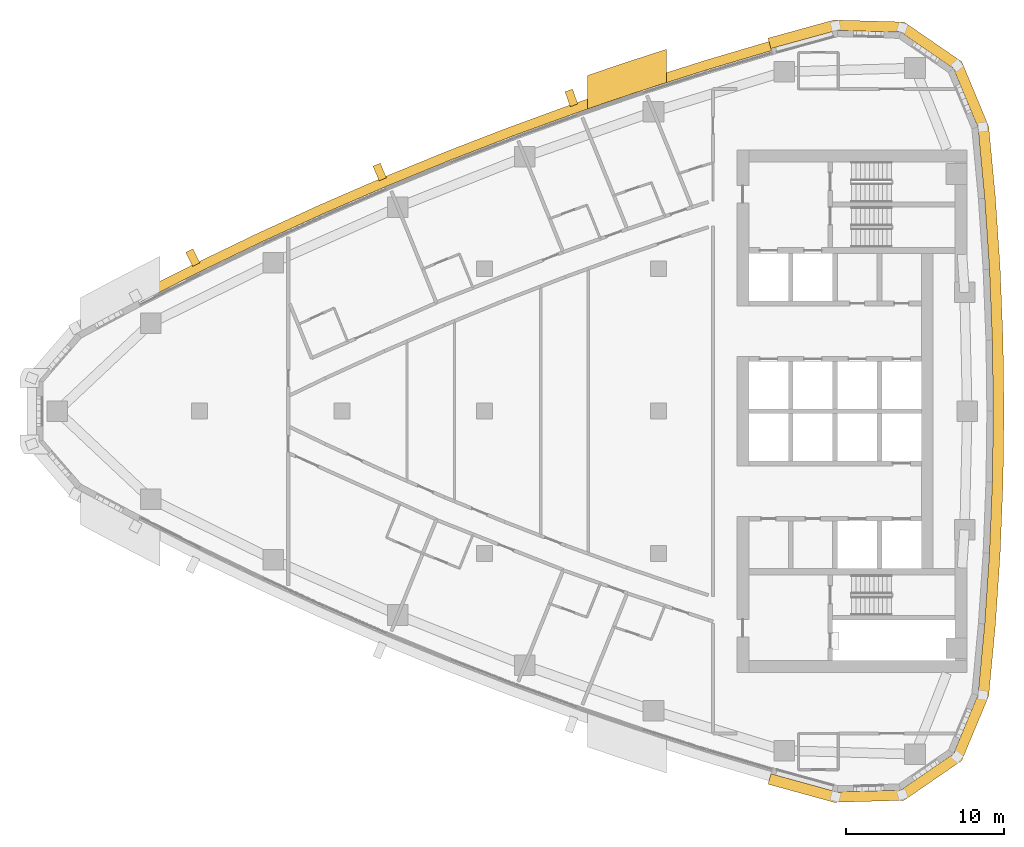
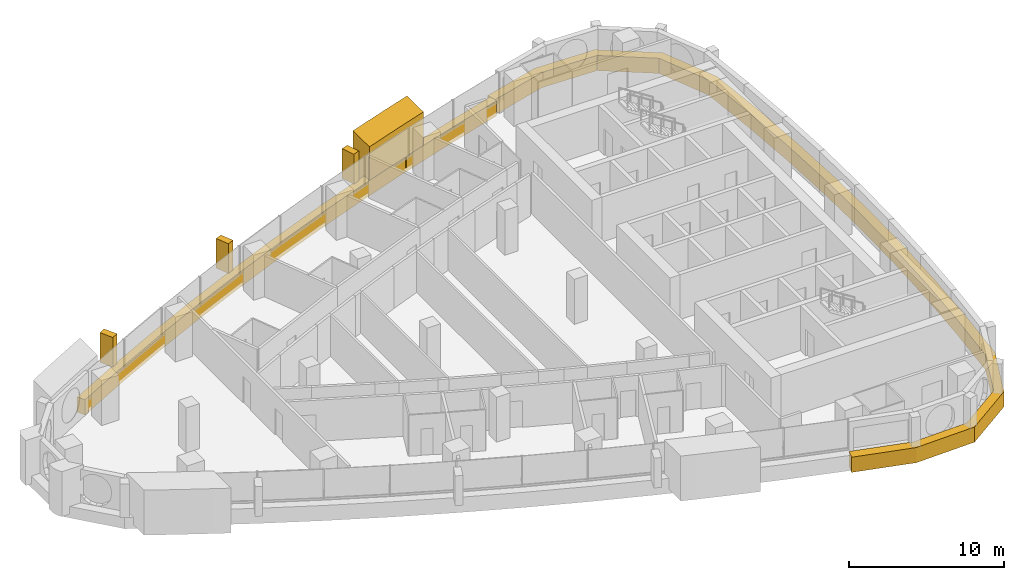
# One storey, part 16 of 17: 6 coverings.
"""IFC4 building model written with IfcOpenShell, lengths in metres."""

from ifc_helpers import new_model, si_unit, direction, frame, frame_2d, origin, place, context, subcontext, project, spatial, polyline, rectangle, outline, extrude, material, layer, layer_set, type_object, element, save


model = new_model("IFC4")

# Units and contexts
model_context = context("Model", 3, precision=1e-05, world=origin(), true_north=direction((0.0, 1.0)))
body_context = subcontext(model_context, "Body", "Model", "MODEL_VIEW")
ifc_project = project(units=[si_unit("LENGTHUNIT", "METRE"), si_unit("AREAUNIT", "SQUARE_METRE"), si_unit("VOLUMEUNIT", "CUBIC_METRE"), si_unit("PLANEANGLEUNIT", "RADIAN"), si_unit("MASSUNIT", "GRAM", prefix="KILO")], contexts=[model_context])

# Site, building, storey
site_placement = place(None, origin())
site = spatial("IfcSite", under=ifc_project, at=site_placement, CompositionType="ELEMENT")
building_placement = place(site_placement, origin())
building = spatial("IfcBuilding", under=site, at=building_placement, Name="Ostrand Prow Hotel Tower", CompositionType="ELEMENT")
storey_placement = place(building_placement, frame((0.0, 0.0, 179.050048828125)))
storey = spatial("IfcBuildingStorey", under=building, at=storey_placement, Name="L44", CompositionType="ELEMENT", Elevation=179.050048828125)

# Coverings
ifc_material_1 = material(Name="Bronze anodised aluminium cladding", Category="aluminium")
ifc_layer_1 = layer(ifc_material_1, 0.60009765625)
ifc_layer_set_1 = layer_set([ifc_layer_1], Name="Bronze anodised aluminium cladding")
covering_type_1 = type_object("IfcCoveringType", Name="Bronze spandrel band 1200x600", PredefinedType="CLADDING", material=ifc_layer_set_1)
covering_1_placement = place(storey_placement, frame((0.0, 0.0, -0.300048828125)))
element("IfcCovering", 1, at=covering_1_placement, inside=storey, type_object=covering_type_1, Name="Spandrel band N1", PredefinedType="CLADDING", context=body_context, shape_type="SweptSolid", body=[
    extrude(outline(polyline([(51.9736328125, 23.35009765625), (47.831787109375, 22.12060546875), (43.7158203125, 20.80810546875), (39.626708984375, 19.4130859375), (35.566650390625, 17.93603515625), (31.537353515625, 16.37744140625), (27.5400390625, 14.738037109375), (23.57666015625, 13.0185546875), (19.648681640625, 11.219482421875), (15.757568359375, 9.341796875), (11.9052734375, 7.38623046875), (12.18212890625, 6.85400390625), (16.023681640625, 8.80419921875), (19.90380859375, 10.676513671875), (23.821044921875, 12.470458984375), (27.773193359375, 14.185302734375), (31.759521484375, 15.820068359375), (35.777587890625, 17.374267578125), (39.826171875, 18.84716796875), (43.90380859375, 20.23828125), (48.00830078125, 21.547119140625), (52.138427734375, 22.773193359375), (51.9736328125, 23.35009765625)])), origin(), (0.0, 0.0, 1.0), 1.199951171875),
])
covering_2_placement = place(storey_placement, frame((0.0, 0.0, -0.300048828125)))
element("IfcCovering", 2, at=covering_2_placement, inside=storey, type_object=covering_type_1, Name="Spandrel band back 1", PredefinedType="CLADDING", context=body_context, shape_type="SweptSolid", body=[
    extrude(outline(polyline([(51.9130859375, -23.561767578125), (56.0830078125, -24.708740234375), (60.5087890625, -24.581787109375), (64.15625, -22.072021484375), (65.856201171875, -17.98388671875), (66.27783203125, -13.499267578125), (66.5791015625, -9.0048828125), (66.760009765625, -4.50390625), (66.8203125, 0.0), (66.760009765625, 4.50390625), (66.5791015625, 9.0048828125), (66.27783203125, 13.499267578125), (65.856201171875, 17.98388671875), (64.15625, 22.072021484375), (60.5087890625, 24.581787109375), (56.0830078125, 24.708740234375), (51.9130859375, 23.561767578125), (52.10009765625, 22.907958984375), (56.256591796875, 24.05126953125), (60.297607421875, 23.935302734375), (63.6279296875, 21.643798828125), (65.18017578125, 17.9111328125), (65.60009765625, 13.444580078125), (65.900146484375, 8.968505859375), (66.080078125, 4.48583984375), (66.140380859375, 0.0), (66.080078125, -4.48583984375), (65.900146484375, -8.968505859375), (65.60009765625, -13.444580078125), (65.18017578125, -17.9111328125), (63.6279296875, -21.643798828125), (60.297607421875, -23.935302734375), (56.256591796875, -24.05126953125), (52.10009765625, -22.907958984375), (51.9130859375, -23.561767578125)])), origin(), (0.0, 0.0, 1.0), 1.199951171875),
])
ifc_material_2 = material(Name="Limestone cladding", Category="masonry")
ifc_layer_2 = layer(ifc_material_2, 5.0)
ifc_layer_set_2 = layer_set([ifc_layer_2], Name="Limestone cladding")
covering_type_2 = type_object("IfcCoveringType", Name="Portal jamb pilaster limestone", PredefinedType="CLADDING", material=ifc_layer_set_2)
covering_3_placement = place(storey_placement, origin())
element("IfcCovering", 3, at=covering_3_placement, inside=storey, type_object=covering_type_2, Name="Portal jamb NB L44", PredefinedType="CLADDING", context=body_context, shape_type="SweptSolid", body=[
    extrude(outline(polyline([(40.5, 19.08349609375), (41.5, 19.429443359375), (42.5, 19.769775390625), (43.5, 20.104736328125), (44.5, 20.43408203125), (45.5, 20.75830078125), (45.5, 22.85791015625), (44.5, 22.537109375), (43.5, 22.211181640625), (42.5, 21.879638671875), (41.5, 21.542724609375), (40.5, 21.200439453125), (40.5, 19.08349609375)])), origin(), (0.0, 0.0, 1.0), 3.550048828125),
])
ifc_material_3 = material(Name="Limestone cladding", Category="masonry")
ifc_layer_3 = layer(ifc_material_3, 0.5)
ifc_layer_set_3 = layer_set([ifc_layer_3], Name="Limestone cladding")
covering_type_3 = type_object("IfcCoveringType", Name="Precast stone fin 500x900", PredefinedType="CLADDING", material=ifc_layer_set_3)
for number, where, z_axis, x_axis, name in (
    (4, (39.659912109375, 19.31884765625, 0.89990234375), (0.0, 0.0, 1.0), (-0.332296445508, 0.943174995588, 0.0), "Stone fin N 4"),
    (5, (27.578857421875, 14.64599609375, 0.89990234375), (0.0, 0.0, 1.0), (-0.388668122057, 0.921377822013, 0.0), "Stone fin N 7"),
    (6, (15.802001953125, 9.252197265625, 0.89990234375), (0.0, 0.0, 1.0), (-0.443596720488, 0.89622650573, 0.0), "Stone fin N 10"),
):
    element("IfcCovering", number, at=place(storey_placement, frame(where, z_axis=z_axis, x_axis=x_axis)), inside=storey, type_object=covering_type_3, Name=name, PredefinedType="CLADDING", context=body_context, shape_type="SweptSolid", body=[
        extrude(rectangle(XDim=1.0, YDim=0.5, at=frame_2d((0.5, 0.0))), origin(), (0.0, 0.0, 1.0), 2.35009765625),
    ])

save(model, "model.ifc")
